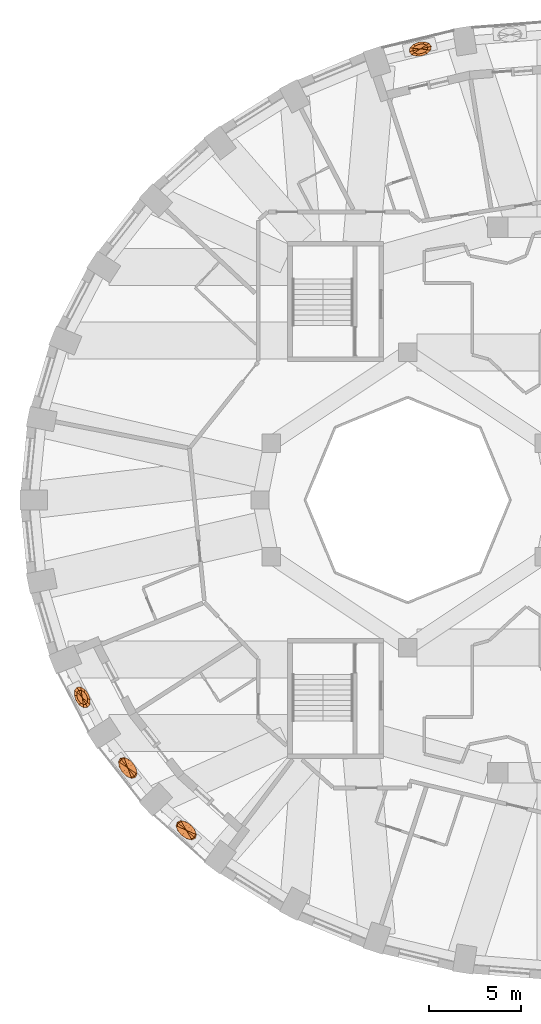
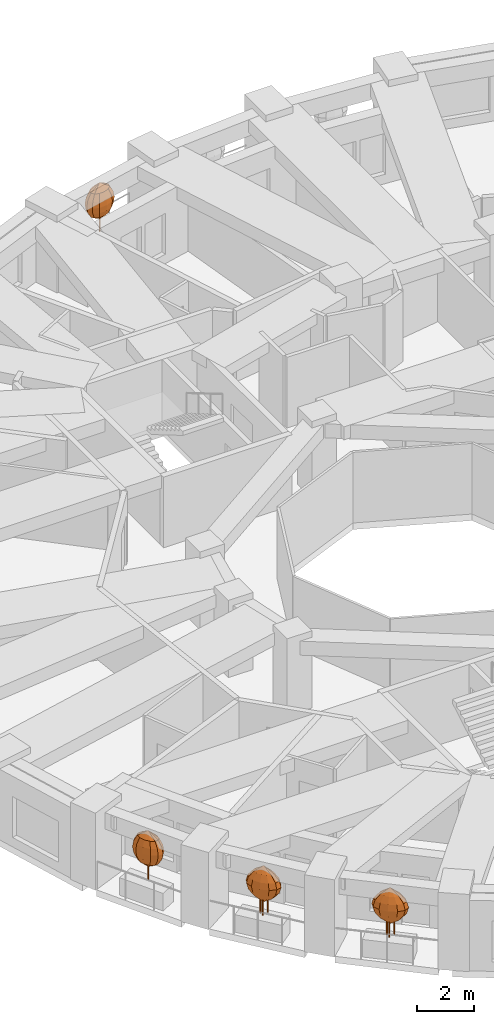
# One storey, part 12 of 13: 4 geographic elements.
"""IFC4 building model written with IfcOpenShell, lengths in metres."""

from ifc_helpers import new_model, si_unit, direction, frame, origin, place, context, subcontext, project, spatial, faceted_brep, material, constituent, constituent_set, type_object, element, save


model = new_model("IFC4")

# Units and contexts
model_context = context("Model", 3, precision=1e-05, world=origin(), true_north=direction((0.0, 1.0)))
body_context = subcontext(model_context, "Body", "Model", "MODEL_VIEW")
ifc_project = project(units=[si_unit("LENGTHUNIT", "METRE"), si_unit("AREAUNIT", "SQUARE_METRE"), si_unit("VOLUMEUNIT", "CUBIC_METRE"), si_unit("PLANEANGLEUNIT", "RADIAN"), si_unit("MASSUNIT", "GRAM", prefix="KILO")], contexts=[model_context])

# Site, building, storey
site_placement = place(None, origin())
site = spatial("IfcSite", under=ifc_project, at=site_placement, CompositionType="ELEMENT")
building_placement = place(site_placement, origin())
building = spatial("IfcBuilding", under=site, at=building_placement, Name="Taillehof Tower", CompositionType="ELEMENT")
storey_placement = place(building_placement, frame((0.0, 0.0, 54.699951171875)))
storey = spatial("IfcBuildingStorey", under=building, at=storey_placement, Name="L14", CompositionType="ELEMENT", Elevation=54.699951171875)

# Geographic elements
ifc_material_1 = material(Name="Tree bark", Category="timber")
ifc_constituent_1 = constituent(ifc_material_1, Name="Trunk", Category="timber")
ifc_material_2 = material(Name="Tree foliage")
ifc_constituent_2 = constituent(ifc_material_2, Name="Crown")
ifc_constituent_set_1 = constituent_set(constituents=[ifc_constituent_1, ifc_constituent_2], Name="Tree TR1 Columnar hornbeam")
geographic_element_type_1 = type_object("IfcGeographicElementType", Name="Tree TR1 Columnar hornbeam", PredefinedType="USERDEFINED", material=ifc_constituent_set_1)
geographic_element_1_placement = place(storey_placement, frame((-7.31640625, 24.430419921875, 0.75)))
element("IfcGeographicElement", 1, at=geographic_element_1_placement, inside=storey, type_object=geographic_element_type_1, Name="Tree TR1 Columnar hornbeam", ObjectType="TREE", PredefinedType="USERDEFINED", context=body_context, shape_type="Brep", body=[
    faceted_brep([(0.030029296875, 0.0, 0.0), (0.021240234375, 0.021240234375, 0.0), (0.021240234375, 0.021240234375, 1.092529296875), (0.030029296875, 0.0, 1.092529296875), (0.0, 0.030029296875, 0.0), (0.0, 0.030029296875, 1.092529296875), (-0.021240234375, 0.021240234375, 0.0), (-0.021240234375, 0.021240234375, 1.092529296875), (-0.030029296875, 0.0, 0.0), (-0.030029296875, 0.0, 1.092529296875), (-0.021240234375, -0.021240234375, 0.0), (-0.021240234375, -0.021240234375, 1.092529296875), (0.0, -0.030029296875, 0.0), (0.0, -0.030029296875, 1.092529296875), (0.021240234375, -0.021240234375, 0.0), (0.021240234375, -0.021240234375, 1.092529296875)], [[[0, 1, 2, 3]], [[1, 4, 5, 2]], [[4, 6, 7, 5]], [[6, 8, 9, 7]], [[8, 10, 11, 9]], [[10, 12, 13, 11]], [[12, 14, 15, 13]], [[14, 0, 3, 15]], [[14, 12, 10, 8, 6, 4, 1, 0]], [[3, 2, 5, 7, 9, 11, 13, 15]]]),
    faceted_brep([(0.0, 0.0, 0.550048828125), (-0.324951171875, -0.211181640625, 0.808349609375), (-0.41015625, -0.09814453125, 0.808349609375), (-0.15283203125, -0.267822265625, 0.808349609375), (0.060546875, -0.25244140625, 0.808349609375), (0.25732421875, -0.16943359375, 0.808349609375), (0.385498046875, -0.041015625, 0.808349609375), (0.41015625, 0.09814453125, 0.808349609375), (0.324951171875, 0.211181640625, 0.808349609375), (0.15283203125, 0.267822265625, 0.808349609375), (-0.060546875, 0.25244140625, 0.808349609375), (-0.25732421875, 0.16943359375, 0.808349609375), (-0.385498046875, 0.041015625, 0.808349609375), (-0.439697265625, -0.285888671875, 1.066650390625), (-0.554931640625, -0.1328125, 1.066650390625), (-0.20654296875, -0.362060546875, 1.066650390625), (0.081787109375, -0.341552734375, 1.066650390625), (0.34814453125, -0.229248046875, 1.066650390625), (0.521484375, -0.0556640625, 1.066650390625), (0.554931640625, 0.1328125, 1.066650390625), (0.439697265625, 0.285888671875, 1.066650390625), (0.20654296875, 0.362060546875, 1.066650390625), (-0.081787109375, 0.341552734375, 1.066650390625), (-0.34814453125, 0.229248046875, 1.066650390625), (-0.521484375, 0.0556640625, 1.066650390625), (-0.475830078125, -0.309326171875, 1.324951171875), (-0.6005859375, -0.143798828125, 1.324951171875), (-0.2236328125, -0.391845703125, 1.324951171875), (0.088623046875, -0.36962890625, 1.324951171875), (0.376953125, -0.248046875, 1.324951171875), (0.564208984375, -0.060302734375, 1.324951171875), (0.6005859375, 0.143798828125, 1.324951171875), (0.475830078125, 0.309326171875, 1.324951171875), (0.2236328125, 0.391845703125, 1.324951171875), (-0.088623046875, 0.36962890625, 1.324951171875), (-0.376953125, 0.248046875, 1.324951171875), (-0.564208984375, 0.060302734375, 1.324951171875), (-0.439697265625, -0.285888671875, 1.583251953125), (-0.554931640625, -0.1328125, 1.583251953125), (-0.20654296875, -0.362060546875, 1.583251953125), (0.081787109375, -0.341552734375, 1.583251953125), (0.34814453125, -0.229248046875, 1.583251953125), (0.521484375, -0.0556640625, 1.583251953125), (0.554931640625, 0.1328125, 1.583251953125), (0.439697265625, 0.285888671875, 1.583251953125), (0.20654296875, 0.362060546875, 1.583251953125), (-0.081787109375, 0.341552734375, 1.583251953125), (-0.34814453125, 0.229248046875, 1.583251953125), (-0.521484375, 0.0556640625, 1.583251953125), (-0.324951171875, -0.211181640625, 1.841552734375), (-0.41015625, -0.09814453125, 1.841552734375), (-0.15283203125, -0.267822265625, 1.841552734375), (0.060546875, -0.25244140625, 1.841552734375), (0.25732421875, -0.16943359375, 1.841552734375), (0.385498046875, -0.041015625, 1.841552734375), (0.41015625, 0.09814453125, 1.841552734375), (0.324951171875, 0.211181640625, 1.841552734375), (0.15283203125, 0.267822265625, 1.841552734375), (-0.060546875, 0.25244140625, 1.841552734375), (-0.25732421875, 0.16943359375, 1.841552734375), (-0.385498046875, 0.041015625, 1.841552734375), (0.0, 0.0, 2.10009765625)], [[[0, 1, 2]], [[0, 3, 1]], [[0, 4, 3]], [[0, 5, 4]], [[0, 6, 5]], [[0, 7, 6]], [[0, 8, 7]], [[0, 9, 8]], [[0, 10, 9]], [[0, 11, 10]], [[0, 12, 11]], [[0, 2, 12]], [[2, 1, 13, 14]], [[1, 3, 15, 13]], [[3, 4, 16, 15]], [[4, 5, 17, 16]], [[5, 6, 18, 17]], [[6, 7, 19, 18]], [[7, 8, 20, 19]], [[8, 9, 21, 20]], [[9, 10, 22, 21]], [[10, 11, 23, 22]], [[11, 12, 24, 23]], [[12, 2, 14, 24]], [[14, 13, 25, 26]], [[13, 15, 27, 25]], [[15, 16, 28, 27]], [[16, 17, 29, 28]], [[17, 18, 30, 29]], [[18, 19, 31, 30]], [[19, 20, 32, 31]], [[20, 21, 33, 32]], [[21, 22, 34, 33]], [[22, 23, 35, 34]], [[23, 24, 36, 35]], [[24, 14, 26, 36]], [[26, 25, 37, 38]], [[25, 27, 39, 37]], [[27, 28, 40, 39]], [[28, 29, 41, 40]], [[29, 30, 42, 41]], [[30, 31, 43, 42]], [[31, 32, 44, 43]], [[32, 33, 45, 44]], [[33, 34, 46, 45]], [[34, 35, 47, 46]], [[35, 36, 48, 47]], [[36, 26, 38, 48]], [[38, 37, 49, 50]], [[37, 39, 51, 49]], [[39, 40, 52, 51]], [[40, 41, 53, 52]], [[41, 42, 54, 53]], [[42, 43, 55, 54]], [[43, 44, 56, 55]], [[44, 45, 57, 56]], [[45, 46, 58, 57]], [[46, 47, 59, 58]], [[47, 48, 60, 59]], [[48, 38, 50, 60]], [[50, 49, 61]], [[49, 51, 61]], [[51, 52, 61]], [[52, 53, 61]], [[53, 54, 61]], [[54, 55, 61]], [[55, 56, 61]], [[56, 57, 61]], [[57, 58, 61]], [[58, 59, 61]], [[59, 60, 61]], [[60, 50, 61]]]),
])
geographic_element_2_placement = place(storey_placement, frame((-25.627685546875, -10.692626953125, 0.75)))
element("IfcGeographicElement", 2, at=geographic_element_2_placement, inside=storey, type_object=geographic_element_type_1, Name="Tree TR1 Columnar hornbeam", ObjectType="TREE", PredefinedType="USERDEFINED", context=body_context, shape_type="Brep", body=[
    faceted_brep([(0.030029296875, 0.0, 0.0), (0.021240234375, 0.021240234375, 0.0), (0.021240234375, 0.021240234375, 1.092529296875), (0.030029296875, 0.0, 1.092529296875), (0.0, 0.030029296875, 0.0), (0.0, 0.030029296875, 1.092529296875), (-0.021240234375, 0.021240234375, 0.0), (-0.021240234375, 0.021240234375, 1.092529296875), (-0.030029296875, 0.0, 0.0), (-0.030029296875, 0.0, 1.092529296875), (-0.021240234375, -0.021240234375, 0.0), (-0.021240234375, -0.021240234375, 1.092529296875), (0.0, -0.030029296875, 0.0), (0.0, -0.030029296875, 1.092529296875), (0.021240234375, -0.021240234375, 0.0), (0.021240234375, -0.021240234375, 1.092529296875)], [[[0, 1, 2, 3]], [[1, 4, 5, 2]], [[4, 6, 7, 5]], [[6, 8, 9, 7]], [[8, 10, 11, 9]], [[10, 12, 13, 11]], [[12, 14, 15, 13]], [[14, 0, 3, 15]], [[14, 12, 10, 8, 6, 4, 1, 0]], [[3, 2, 5, 7, 9, 11, 13, 15]]]),
    faceted_brep([(0.0, 0.0, 0.550048828125), (0.283935546875, -0.263916015625, 0.808349609375), (0.195068359375, -0.3740234375, 0.808349609375), (0.296875, -0.0830078125, 0.808349609375), (0.230224609375, 0.1201171875, 0.808349609375), (0.101806640625, 0.291015625, 0.808349609375), (-0.053955078125, 0.3837890625, 0.808349609375), (-0.195068359375, 0.3740234375, 0.808349609375), (-0.283935546875, 0.263916015625, 0.808349609375), (-0.296875, 0.0830078125, 0.808349609375), (-0.230224609375, -0.1201171875, 0.808349609375), (-0.101806640625, -0.291015625, 0.808349609375), (0.053955078125, -0.3837890625, 0.808349609375), (0.38427734375, -0.35693359375, 1.066650390625), (0.263916015625, -0.505859375, 1.066650390625), (0.401611328125, -0.1123046875, 1.066650390625), (0.311279296875, 0.162353515625, 1.066650390625), (0.1376953125, 0.3935546875, 1.066650390625), (-0.07275390625, 0.519287109375, 1.066650390625), (-0.263916015625, 0.505859375, 1.066650390625), (-0.38427734375, 0.35693359375, 1.066650390625), (-0.401611328125, 0.1123046875, 1.066650390625), (-0.311279296875, -0.162353515625, 1.066650390625), (-0.1376953125, -0.3935546875, 1.066650390625), (0.07275390625, -0.519287109375, 1.066650390625), (0.415771484375, -0.38623046875, 1.324951171875), (0.28564453125, -0.547607421875, 1.324951171875), (0.4345703125, -0.12158203125, 1.324951171875), (0.3369140625, 0.17578125, 1.324951171875), (0.14892578125, 0.426025390625, 1.324951171875), (-0.078857421875, 0.56201171875, 1.324951171875), (-0.28564453125, 0.547607421875, 1.324951171875), (-0.415771484375, 0.38623046875, 1.324951171875), (-0.4345703125, 0.12158203125, 1.324951171875), (-0.3369140625, -0.17578125, 1.324951171875), (-0.14892578125, -0.426025390625, 1.324951171875), (0.078857421875, -0.56201171875, 1.324951171875), (0.38427734375, -0.35693359375, 1.583251953125), (0.263916015625, -0.505859375, 1.583251953125), (0.401611328125, -0.1123046875, 1.583251953125), (0.311279296875, 0.162353515625, 1.583251953125), (0.1376953125, 0.3935546875, 1.583251953125), (-0.07275390625, 0.519287109375, 1.583251953125), (-0.263916015625, 0.505859375, 1.583251953125), (-0.38427734375, 0.35693359375, 1.583251953125), (-0.401611328125, 0.1123046875, 1.583251953125), (-0.311279296875, -0.162353515625, 1.583251953125), (-0.1376953125, -0.3935546875, 1.583251953125), (0.07275390625, -0.519287109375, 1.583251953125), (0.283935546875, -0.263916015625, 1.841552734375), (0.195068359375, -0.3740234375, 1.841552734375), (0.296875, -0.0830078125, 1.841552734375), (0.230224609375, 0.1201171875, 1.841552734375), (0.101806640625, 0.291015625, 1.841552734375), (-0.053955078125, 0.3837890625, 1.841552734375), (-0.195068359375, 0.3740234375, 1.841552734375), (-0.283935546875, 0.263916015625, 1.841552734375), (-0.296875, 0.0830078125, 1.841552734375), (-0.230224609375, -0.1201171875, 1.841552734375), (-0.101806640625, -0.291015625, 1.841552734375), (0.053955078125, -0.3837890625, 1.841552734375), (0.0, 0.0, 2.10009765625)], [[[0, 1, 2]], [[0, 3, 1]], [[0, 4, 3]], [[0, 5, 4]], [[0, 6, 5]], [[0, 7, 6]], [[0, 8, 7]], [[0, 9, 8]], [[0, 10, 9]], [[0, 11, 10]], [[0, 12, 11]], [[0, 2, 12]], [[2, 1, 13, 14]], [[1, 3, 15, 13]], [[3, 4, 16, 15]], [[4, 5, 17, 16]], [[5, 6, 18, 17]], [[6, 7, 19, 18]], [[7, 8, 20, 19]], [[8, 9, 21, 20]], [[9, 10, 22, 21]], [[10, 11, 23, 22]], [[11, 12, 24, 23]], [[12, 2, 14, 24]], [[14, 13, 25, 26]], [[13, 15, 27, 25]], [[15, 16, 28, 27]], [[16, 17, 29, 28]], [[17, 18, 30, 29]], [[18, 19, 31, 30]], [[19, 20, 32, 31]], [[20, 21, 33, 32]], [[21, 22, 34, 33]], [[22, 23, 35, 34]], [[23, 24, 36, 35]], [[24, 14, 26, 36]], [[26, 25, 37, 38]], [[25, 27, 39, 37]], [[27, 28, 40, 39]], [[28, 29, 41, 40]], [[29, 30, 42, 41]], [[30, 31, 43, 42]], [[31, 32, 44, 43]], [[32, 33, 45, 44]], [[33, 34, 46, 45]], [[34, 35, 47, 46]], [[35, 36, 48, 47]], [[36, 26, 38, 48]], [[38, 37, 49, 50]], [[37, 39, 51, 49]], [[39, 40, 52, 51]], [[40, 41, 53, 52]], [[41, 42, 54, 53]], [[42, 43, 55, 54]], [[43, 44, 56, 55]], [[44, 45, 57, 56]], [[45, 46, 58, 57]], [[46, 47, 59, 58]], [[47, 48, 60, 59]], [[48, 38, 50, 60]], [[50, 49, 61]], [[49, 51, 61]], [[51, 52, 61]], [[52, 53, 61]], [[53, 54, 61]], [[54, 55, 61]], [[55, 56, 61]], [[56, 57, 61]], [[57, 58, 61]], [[58, 59, 61]], [[59, 60, 61]], [[60, 50, 61]]]),
])
ifc_material_3 = material(Name="Tree bark", Category="timber")
ifc_constituent_3 = constituent(ifc_material_3, Name="Trunk", Category="timber")
ifc_material_4 = material(Name="Tree foliage")
ifc_constituent_4 = constituent(ifc_material_4, Name="Crown")
ifc_constituent_set_2 = constituent_set(constituents=[ifc_constituent_3, ifc_constituent_4], Name="Tree TR3 Multi-stem serviceberry")
geographic_element_type_2 = type_object("IfcGeographicElementType", Name="Tree TR3 Multi-stem serviceberry", PredefinedType="USERDEFINED", material=ifc_constituent_set_2)
geographic_element_3_placement = place(storey_placement, frame((-23.16162109375, -14.510986328125, 0.75)))
element("IfcGeographicElement", 3, at=geographic_element_3_placement, inside=storey, type_object=geographic_element_type_2, Name="Tree TR3 Multi-stem serviceberry", ObjectType="TREE", PredefinedType="USERDEFINED", context=body_context, shape_type="Brep", body=[
    faceted_brep([(0.195068359375, 0.0, 0.0), (0.186767578125, 0.0205078125, 0.0), (0.186767578125, 0.0205078125, 1.04248046875), (0.195068359375, 0.0, 1.04248046875), (0.166259765625, 0.02880859375, 0.0), (0.166259765625, 0.02880859375, 1.04248046875), (0.145751953125, 0.0205078125, 0.0), (0.145751953125, 0.0205078125, 1.04248046875), (0.137451171875, 0.0, 0.0), (0.137451171875, 0.0, 1.04248046875), (0.145751953125, -0.0205078125, 0.0), (0.145751953125, -0.0205078125, 1.04248046875), (0.166259765625, -0.02880859375, 0.0), (0.166259765625, -0.02880859375, 1.04248046875), (0.186767578125, -0.0205078125, 0.0), (0.186767578125, -0.0205078125, 1.04248046875)], [[[0, 1, 2, 3]], [[1, 4, 5, 2]], [[4, 6, 7, 5]], [[6, 8, 9, 7]], [[8, 10, 11, 9]], [[10, 12, 13, 11]], [[12, 14, 15, 13]], [[14, 0, 3, 15]], [[14, 12, 10, 8, 6, 4, 1, 0]], [[3, 2, 5, 7, 9, 11, 13, 15]]]),
    faceted_brep([(-0.05419921875, 0.082275390625, 0.0), (-0.062744140625, 0.102783203125, 0.0), (-0.062744140625, 0.102783203125, 1.04248046875), (-0.05419921875, 0.082275390625, 1.04248046875), (-0.0830078125, 0.111083984375, 0.0), (-0.0830078125, 0.111083984375, 1.04248046875), (-0.103515625, 0.102783203125, 0.0), (-0.103515625, 0.102783203125, 1.04248046875), (-0.112060546875, 0.082275390625, 0.0), (-0.112060546875, 0.082275390625, 1.04248046875), (-0.103515625, 0.061767578125, 0.0), (-0.103515625, 0.061767578125, 1.04248046875), (-0.0830078125, 0.053466796875, 0.0), (-0.0830078125, 0.053466796875, 1.04248046875), (-0.062744140625, 0.061767578125, 0.0), (-0.062744140625, 0.061767578125, 1.04248046875)], [[[0, 1, 2, 3]], [[1, 4, 5, 2]], [[4, 6, 7, 5]], [[6, 8, 9, 7]], [[8, 10, 11, 9]], [[10, 12, 13, 11]], [[12, 14, 15, 13]], [[14, 0, 3, 15]], [[14, 12, 10, 8, 6, 4, 1, 0]], [[3, 2, 5, 7, 9, 11, 13, 15]]]),
    faceted_brep([(-0.05419921875, -0.082275390625, 0.0), (-0.062744140625, -0.061767578125, 0.0), (-0.062744140625, -0.061767578125, 1.04248046875), (-0.05419921875, -0.082275390625, 1.04248046875), (-0.0830078125, -0.053466796875, 0.0), (-0.0830078125, -0.053466796875, 1.04248046875), (-0.103515625, -0.061767578125, 0.0), (-0.103515625, -0.061767578125, 1.04248046875), (-0.112060546875, -0.082275390625, 0.0), (-0.112060546875, -0.082275390625, 1.04248046875), (-0.103515625, -0.102783203125, 0.0), (-0.103515625, -0.102783203125, 1.04248046875), (-0.0830078125, -0.111083984375, 0.0), (-0.0830078125, -0.111083984375, 1.04248046875), (-0.062744140625, -0.102783203125, 0.0), (-0.062744140625, -0.102783203125, 1.04248046875)], [[[0, 1, 2, 3]], [[1, 4, 5, 2]], [[4, 6, 7, 5]], [[6, 8, 9, 7]], [[8, 10, 11, 9]], [[10, 12, 13, 11]], [[12, 14, 15, 13]], [[14, 0, 3, 15]], [[14, 12, 10, 8, 6, 4, 1, 0]], [[3, 2, 5, 7, 9, 11, 13, 15]]]),
    faceted_brep([(0.0, 0.0, 0.5), (0.289794921875, -0.193115234375, 0.75830078125), (0.235595703125, -0.30078125, 0.75830078125), (0.2666015625, -0.03369140625, 0.75830078125), (0.171875, 0.134521484375, 0.75830078125), (0.031005859375, 0.266845703125, 0.75830078125), (-0.1181640625, 0.32763671875, 0.75830078125), (-0.235595703125, 0.30078125, 0.75830078125), (-0.289794921875, 0.193115234375, 0.75830078125), (-0.2666015625, 0.03369140625, 0.75830078125), (-0.171875, -0.134521484375, 0.75830078125), (-0.031005859375, -0.266845703125, 0.75830078125), (0.1181640625, -0.32763671875, 0.75830078125), (0.449951171875, -0.299560546875, 1.0166015625), (0.365478515625, -0.466552734375, 1.0166015625), (0.41357421875, -0.052490234375, 1.0166015625), (0.2666015625, 0.208740234375, 1.0166015625), (0.048095703125, 0.4140625, 1.0166015625), (-0.18310546875, 0.508544921875, 1.0166015625), (-0.365478515625, 0.466552734375, 1.0166015625), (-0.449951171875, 0.299560546875, 1.0166015625), (-0.41357421875, 0.052490234375, 1.0166015625), (-0.2666015625, -0.208740234375, 1.0166015625), (-0.048095703125, -0.4140625, 1.0166015625), (0.18310546875, -0.508544921875, 1.0166015625), (0.504638671875, -0.336181640625, 1.27490234375), (0.41015625, -0.5234375, 1.27490234375), (0.464111328125, -0.058837890625, 1.27490234375), (0.299072265625, 0.234375, 1.27490234375), (0.053955078125, 0.464599609375, 1.27490234375), (-0.20556640625, 0.570556640625, 1.27490234375), (-0.41015625, 0.5234375, 1.27490234375), (-0.504638671875, 0.336181640625, 1.27490234375), (-0.464111328125, 0.058837890625, 1.27490234375), (-0.299072265625, -0.234375, 1.27490234375), (-0.053955078125, -0.464599609375, 1.27490234375), (0.20556640625, -0.570556640625, 1.27490234375), (0.449951171875, -0.299560546875, 1.533447265625), (0.365478515625, -0.466552734375, 1.533447265625), (0.41357421875, -0.052490234375, 1.533447265625), (0.2666015625, 0.208740234375, 1.533447265625), (0.048095703125, 0.4140625, 1.533447265625), (-0.18310546875, 0.508544921875, 1.533447265625), (-0.365478515625, 0.466552734375, 1.533447265625), (-0.449951171875, 0.299560546875, 1.533447265625), (-0.41357421875, 0.052490234375, 1.533447265625), (-0.2666015625, -0.208740234375, 1.533447265625), (-0.048095703125, -0.4140625, 1.533447265625), (0.18310546875, -0.508544921875, 1.533447265625), (0.289794921875, -0.193115234375, 1.791748046875), (0.235595703125, -0.30078125, 1.791748046875), (0.2666015625, -0.03369140625, 1.791748046875), (0.171875, 0.134521484375, 1.791748046875), (0.031005859375, 0.266845703125, 1.791748046875), (-0.1181640625, 0.32763671875, 1.791748046875), (-0.235595703125, 0.30078125, 1.791748046875), (-0.289794921875, 0.193115234375, 1.791748046875), (-0.2666015625, 0.03369140625, 1.791748046875), (-0.171875, -0.134521484375, 1.791748046875), (-0.031005859375, -0.266845703125, 1.791748046875), (0.1181640625, -0.32763671875, 1.791748046875), (0.0, 0.0, 2.050048828125)], [[[0, 1, 2]], [[0, 3, 1]], [[0, 4, 3]], [[0, 5, 4]], [[0, 6, 5]], [[0, 7, 6]], [[0, 8, 7]], [[0, 9, 8]], [[0, 10, 9]], [[0, 11, 10]], [[0, 12, 11]], [[0, 2, 12]], [[2, 1, 13, 14]], [[1, 3, 15, 13]], [[3, 4, 16, 15]], [[4, 5, 17, 16]], [[5, 6, 18, 17]], [[6, 7, 19, 18]], [[7, 8, 20, 19]], [[8, 9, 21, 20]], [[9, 10, 22, 21]], [[10, 11, 23, 22]], [[11, 12, 24, 23]], [[12, 2, 14, 24]], [[14, 13, 25, 26]], [[13, 15, 27, 25]], [[15, 16, 28, 27]], [[16, 17, 29, 28]], [[17, 18, 30, 29]], [[18, 19, 31, 30]], [[19, 20, 32, 31]], [[20, 21, 33, 32]], [[21, 22, 34, 33]], [[22, 23, 35, 34]], [[23, 24, 36, 35]], [[24, 14, 26, 36]], [[26, 25, 37, 38]], [[25, 27, 39, 37]], [[27, 28, 40, 39]], [[28, 29, 41, 40]], [[29, 30, 42, 41]], [[30, 31, 43, 42]], [[31, 32, 44, 43]], [[32, 33, 45, 44]], [[33, 34, 46, 45]], [[34, 35, 47, 46]], [[35, 36, 48, 47]], [[36, 26, 38, 48]], [[38, 37, 49, 50]], [[37, 39, 51, 49]], [[39, 40, 52, 51]], [[40, 41, 53, 52]], [[41, 42, 54, 53]], [[42, 43, 55, 54]], [[43, 44, 56, 55]], [[44, 45, 57, 56]], [[45, 46, 58, 57]], [[46, 47, 59, 58]], [[47, 48, 60, 59]], [[48, 38, 50, 60]], [[50, 49, 61]], [[49, 51, 61]], [[51, 52, 61]], [[52, 53, 61]], [[53, 54, 61]], [[54, 55, 61]], [[55, 56, 61]], [[56, 57, 61]], [[57, 58, 61]], [[58, 59, 61]], [[59, 60, 61]], [[60, 50, 61]]]),
])
geographic_element_4_placement = place(storey_placement, frame((-19.9921875, -17.8876953125, 0.75)))
element("IfcGeographicElement", 4, at=geographic_element_4_placement, inside=storey, type_object=geographic_element_type_2, Name="Tree TR3 Multi-stem serviceberry", ObjectType="TREE", PredefinedType="USERDEFINED", context=body_context, shape_type="Brep", body=[
    faceted_brep([(0.195068359375, 0.0, 0.0), (0.186767578125, 0.0205078125, 0.0), (0.186767578125, 0.0205078125, 1.04248046875), (0.195068359375, 0.0, 1.04248046875), (0.166259765625, 0.02880859375, 0.0), (0.166259765625, 0.02880859375, 1.04248046875), (0.145751953125, 0.0205078125, 0.0), (0.145751953125, 0.0205078125, 1.04248046875), (0.137451171875, 0.0, 0.0), (0.137451171875, 0.0, 1.04248046875), (0.145751953125, -0.0205078125, 0.0), (0.145751953125, -0.0205078125, 1.04248046875), (0.166259765625, -0.02880859375, 0.0), (0.166259765625, -0.02880859375, 1.04248046875), (0.186767578125, -0.0205078125, 0.0), (0.186767578125, -0.0205078125, 1.04248046875)], [[[0, 1, 2, 3]], [[1, 4, 5, 2]], [[4, 6, 7, 5]], [[6, 8, 9, 7]], [[8, 10, 11, 9]], [[10, 12, 13, 11]], [[12, 14, 15, 13]], [[14, 0, 3, 15]], [[14, 12, 10, 8, 6, 4, 1, 0]], [[3, 2, 5, 7, 9, 11, 13, 15]]]),
    faceted_brep([(-0.05419921875, 0.082275390625, 0.0), (-0.062744140625, 0.102783203125, 0.0), (-0.062744140625, 0.102783203125, 1.04248046875), (-0.05419921875, 0.082275390625, 1.04248046875), (-0.0830078125, 0.111083984375, 0.0), (-0.0830078125, 0.111083984375, 1.04248046875), (-0.103515625, 0.102783203125, 0.0), (-0.103515625, 0.102783203125, 1.04248046875), (-0.112060546875, 0.082275390625, 0.0), (-0.112060546875, 0.082275390625, 1.04248046875), (-0.103515625, 0.061767578125, 0.0), (-0.103515625, 0.061767578125, 1.04248046875), (-0.0830078125, 0.053466796875, 0.0), (-0.0830078125, 0.053466796875, 1.04248046875), (-0.062744140625, 0.061767578125, 0.0), (-0.062744140625, 0.061767578125, 1.04248046875)], [[[0, 1, 2, 3]], [[1, 4, 5, 2]], [[4, 6, 7, 5]], [[6, 8, 9, 7]], [[8, 10, 11, 9]], [[10, 12, 13, 11]], [[12, 14, 15, 13]], [[14, 0, 3, 15]], [[14, 12, 10, 8, 6, 4, 1, 0]], [[3, 2, 5, 7, 9, 11, 13, 15]]]),
    faceted_brep([(-0.05419921875, -0.082275390625, 0.0), (-0.062744140625, -0.061767578125, 0.0), (-0.062744140625, -0.061767578125, 1.04248046875), (-0.05419921875, -0.082275390625, 1.04248046875), (-0.0830078125, -0.053466796875, 0.0), (-0.0830078125, -0.053466796875, 1.04248046875), (-0.103515625, -0.061767578125, 0.0), (-0.103515625, -0.061767578125, 1.04248046875), (-0.112060546875, -0.082275390625, 0.0), (-0.112060546875, -0.082275390625, 1.04248046875), (-0.103515625, -0.102783203125, 0.0), (-0.103515625, -0.102783203125, 1.04248046875), (-0.0830078125, -0.111083984375, 0.0), (-0.0830078125, -0.111083984375, 1.04248046875), (-0.062744140625, -0.102783203125, 0.0), (-0.062744140625, -0.102783203125, 1.04248046875)], [[[0, 1, 2, 3]], [[1, 4, 5, 2]], [[4, 6, 7, 5]], [[6, 8, 9, 7]], [[8, 10, 11, 9]], [[10, 12, 13, 11]], [[12, 14, 15, 13]], [[14, 0, 3, 15]], [[14, 12, 10, 8, 6, 4, 1, 0]], [[3, 2, 5, 7, 9, 11, 13, 15]]]),
    faceted_brep([(0.0, 0.0, 0.5), (0.3193359375, -0.13916015625, 0.75830078125), (0.28466796875, -0.254638671875, 0.75830078125), (0.268310546875, 0.013671875, 0.75830078125), (0.1455078125, 0.16259765625, 0.75830078125), (-0.016357421875, 0.268310546875, 0.75830078125), (-0.173828125, 0.3017578125, 0.75830078125), (-0.28466796875, 0.254638671875, 0.75830078125), (-0.3193359375, 0.13916015625, 0.75830078125), (-0.268310546875, -0.013671875, 0.75830078125), (-0.1455078125, -0.16259765625, 0.75830078125), (0.016357421875, -0.268310546875, 0.75830078125), (0.173828125, -0.3017578125, 0.75830078125), (0.49560546875, -0.2158203125, 1.0166015625), (0.44189453125, -0.39501953125, 1.0166015625), (0.41650390625, 0.021240234375, 1.0166015625), (0.225830078125, 0.25244140625, 1.0166015625), (-0.025390625, 0.416259765625, 1.0166015625), (-0.269775390625, 0.46826171875, 1.0166015625), (-0.44189453125, 0.39501953125, 1.0166015625), (-0.49560546875, 0.2158203125, 1.0166015625), (-0.41650390625, -0.021240234375, 1.0166015625), (-0.225830078125, -0.25244140625, 1.0166015625), (0.025390625, -0.416259765625, 1.0166015625), (0.269775390625, -0.46826171875, 1.0166015625), (0.555908203125, -0.2421875, 1.27490234375), (0.495849609375, -0.443115234375, 1.27490234375), (0.46728515625, 0.023681640625, 1.27490234375), (0.253173828125, 0.283203125, 1.27490234375), (-0.028564453125, 0.467041015625, 1.27490234375), (-0.302734375, 0.525390625, 1.27490234375), (-0.495849609375, 0.443115234375, 1.27490234375), (-0.555908203125, 0.2421875, 1.27490234375), (-0.46728515625, -0.023681640625, 1.27490234375), (-0.253173828125, -0.283203125, 1.27490234375), (0.028564453125, -0.467041015625, 1.27490234375), (0.302734375, -0.525390625, 1.27490234375), (0.49560546875, -0.2158203125, 1.533447265625), (0.44189453125, -0.39501953125, 1.533447265625), (0.41650390625, 0.021240234375, 1.533447265625), (0.225830078125, 0.25244140625, 1.533447265625), (-0.025390625, 0.416259765625, 1.533447265625), (-0.269775390625, 0.46826171875, 1.533447265625), (-0.44189453125, 0.39501953125, 1.533447265625), (-0.49560546875, 0.2158203125, 1.533447265625), (-0.41650390625, -0.021240234375, 1.533447265625), (-0.225830078125, -0.25244140625, 1.533447265625), (0.025390625, -0.416259765625, 1.533447265625), (0.269775390625, -0.46826171875, 1.533447265625), (0.3193359375, -0.13916015625, 1.791748046875), (0.28466796875, -0.254638671875, 1.791748046875), (0.268310546875, 0.013671875, 1.791748046875), (0.1455078125, 0.16259765625, 1.791748046875), (-0.016357421875, 0.268310546875, 1.791748046875), (-0.173828125, 0.3017578125, 1.791748046875), (-0.28466796875, 0.254638671875, 1.791748046875), (-0.3193359375, 0.13916015625, 1.791748046875), (-0.268310546875, -0.013671875, 1.791748046875), (-0.1455078125, -0.16259765625, 1.791748046875), (0.016357421875, -0.268310546875, 1.791748046875), (0.173828125, -0.3017578125, 1.791748046875), (0.0, 0.0, 2.050048828125)], [[[0, 1, 2]], [[0, 3, 1]], [[0, 4, 3]], [[0, 5, 4]], [[0, 6, 5]], [[0, 7, 6]], [[0, 8, 7]], [[0, 9, 8]], [[0, 10, 9]], [[0, 11, 10]], [[0, 12, 11]], [[0, 2, 12]], [[2, 1, 13, 14]], [[1, 3, 15, 13]], [[3, 4, 16, 15]], [[4, 5, 17, 16]], [[5, 6, 18, 17]], [[6, 7, 19, 18]], [[7, 8, 20, 19]], [[8, 9, 21, 20]], [[9, 10, 22, 21]], [[10, 11, 23, 22]], [[11, 12, 24, 23]], [[12, 2, 14, 24]], [[14, 13, 25, 26]], [[13, 15, 27, 25]], [[15, 16, 28, 27]], [[16, 17, 29, 28]], [[17, 18, 30, 29]], [[18, 19, 31, 30]], [[19, 20, 32, 31]], [[20, 21, 33, 32]], [[21, 22, 34, 33]], [[22, 23, 35, 34]], [[23, 24, 36, 35]], [[24, 14, 26, 36]], [[26, 25, 37, 38]], [[25, 27, 39, 37]], [[27, 28, 40, 39]], [[28, 29, 41, 40]], [[29, 30, 42, 41]], [[30, 31, 43, 42]], [[31, 32, 44, 43]], [[32, 33, 45, 44]], [[33, 34, 46, 45]], [[34, 35, 47, 46]], [[35, 36, 48, 47]], [[36, 26, 38, 48]], [[38, 37, 49, 50]], [[37, 39, 51, 49]], [[39, 40, 52, 51]], [[40, 41, 53, 52]], [[41, 42, 54, 53]], [[42, 43, 55, 54]], [[43, 44, 56, 55]], [[44, 45, 57, 56]], [[45, 46, 58, 57]], [[46, 47, 59, 58]], [[47, 48, 60, 59]], [[48, 38, 50, 60]], [[50, 49, 61]], [[49, 51, 61]], [[51, 52, 61]], [[52, 53, 61]], [[53, 54, 61]], [[54, 55, 61]], [[55, 56, 61]], [[56, 57, 61]], [[57, 58, 61]], [[58, 59, 61]], [[59, 60, 61]], [[60, 50, 61]]]),
])

save(model, "model.ifc")
